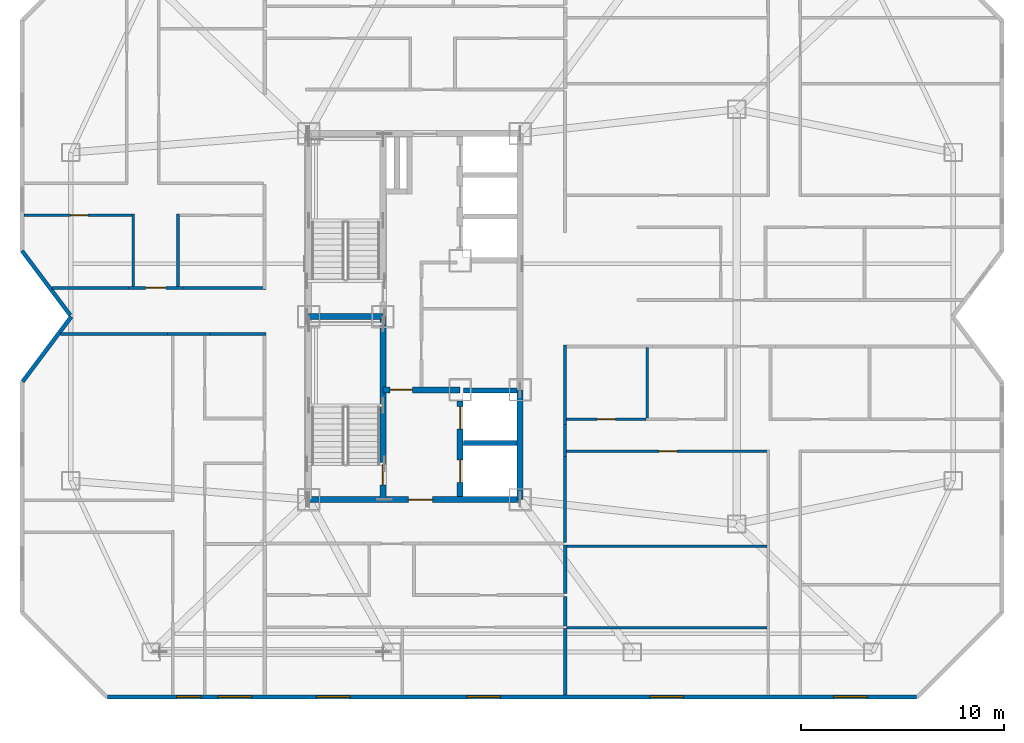
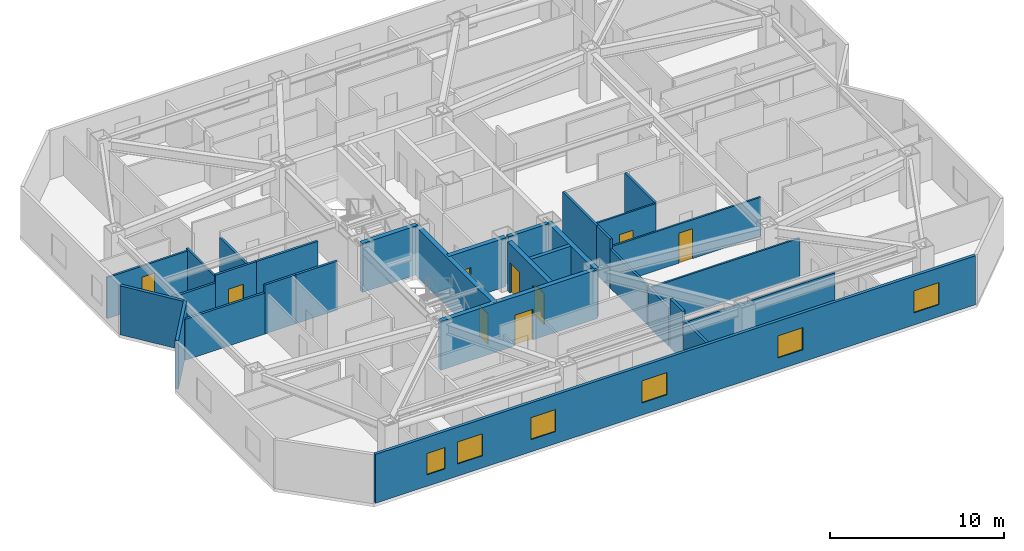
# One storey, part 6 of 11: 31 walls, 9 doors, 6 windows, 15 openings.
"""IFC4 building model written with IfcOpenShell, lengths in metres."""

from ifc_helpers import new_model, si_unit, direction, frame, frame_2d, origin, place, context, subcontext, project, spatial, rectangle, extrude, material, layer, layer_set, type_object, element, fill, save


model = new_model("IFC4")

# Units and contexts
model_context = context("Model", 3, precision=1e-05, world=origin(), true_north=direction((0.0, 1.0)))
body_context = subcontext(model_context, "Body", "Model", "MODEL_VIEW")
ifc_project = project(units=[si_unit("LENGTHUNIT", "METRE"), si_unit("AREAUNIT", "SQUARE_METRE"), si_unit("VOLUMEUNIT", "CUBIC_METRE"), si_unit("PLANEANGLEUNIT", "RADIAN"), si_unit("MASSUNIT", "GRAM", prefix="KILO")], contexts=[model_context])

# Site, building, storey
site_placement = place(None, origin())
site = spatial("IfcSite", under=ifc_project, at=site_placement, CompositionType="ELEMENT")
building_placement = place(site_placement, origin())
building = spatial("IfcBuilding", under=site, at=building_placement, Name="Khamvora Tower", CompositionType="ELEMENT")
storey_placement = place(building_placement, frame((0.0, 0.0, 163.199951171875)))
storey = spatial("IfcBuildingStorey", under=building, at=storey_placement, Name="L41", CompositionType="ELEMENT", Elevation=163.199951171875)

# Wall, opening, door
ifc_material_1 = material(Name="Concrete C50/60", Category="concrete")
ifc_layer_1 = layer(ifc_material_1, 0.300048828125)
ifc_layer_set_1 = layer_set([ifc_layer_1], Name="Concrete C50/60")
wall_type_1 = type_object("IfcWallType", Name="WAL-CORE-300", PredefinedType="SHEAR", material=ifc_layer_set_1)
wall_1_placement = place(storey_placement, frame((29.0, 19.0, 0.0), z_axis=(0.0, 0.0, 1.0), x_axis=(1.0, 0.0, 0.0)))
wall_1 = element("IfcWall", 1, at=wall_1_placement, inside=storey, type_object=wall_type_1, Name="L41 central core south wall", PredefinedType="SHEAR", context=body_context, shape_type="SweptSolid", body=[
    extrude(rectangle(XDim=10.39990234375, YDim=0.300048828125, at=frame_2d((5.199951171875, 0.0))), origin(), (0.0, 0.0, 1.0), 3.429931640625),
])
opening_1_placement = place(wall_1_placement, frame((4.89990234375, 0.0, 0.0)))
opening_1 = element("IfcOpeningElement", 2, at=opening_1_placement, cuts=wall_1, Name="Opening D-CR1", PredefinedType="OPENING", context=body_context, shape_type="SweptSolid", body=[
    extrude(rectangle(XDim=1.199951171875, YDim=2.14990234375, at=frame_2d((0.60009765625, 1.074951171875))), frame((0.0, 0.159912109375, 0.0), z_axis=(0.0, -1.0, 0.0), x_axis=(1.0, 0.0, 0.0)), (0.0, 0.0, 1.0), 0.320068359375),
])
ifc_material_2 = material(Name="Powder-Coated Steel and Hardwood Leaf", Category="steel")
door_type_1 = type_object("IfcDoorType", Name="DOR-CORR-1200", OperationType="NOTDEFINED", PredefinedType="DOOR", material=ifc_material_2)
door_1_placement = place(opening_1_placement, origin())
door_1 = element("IfcDoor", 3, at=door_1_placement, inside=storey, type_object=door_type_1, Name="L41 south core lobby to corridor fire door", OperationType="SINGLE_SWING_LEFT", OverallHeight=2.14990234375, OverallWidth=1.199951171875, PredefinedType="DOOR", context=body_context, shape_type="SweptSolid", body=[
    extrude(rectangle(XDim=1.199951171875, YDim=2.14990234375, at=frame_2d((0.60009765625, 1.074951171875))), frame((0.0, 0.02490234375, 0.0), z_axis=(0.0, -1.0, 0.0), x_axis=(1.0, 0.0, 0.0)), (0.0, 0.0, 1.0), 0.050048828125),
])
fill(opening_1, door_1)

# Wall
wall_2_placement = place(storey_placement, frame((39.39990234375, 19.0, 0.0), z_axis=(0.0, 0.0, 1.0), x_axis=(0.0, 1.0, 0.0)))
element("IfcWall", 4, at=wall_2_placement, inside=storey, type_object=wall_type_1, Name="L41 central core east south wall", PredefinedType="SHEAR", context=body_context, shape_type="SweptSolid", body=[
    extrude(rectangle(XDim=5.39990234375, YDim=0.300048828125, at=frame_2d((2.699951171875, 0.0))), origin(), (0.0, 0.0, 1.0), 3.429931640625),
])

# Wall, opening, door
wall_3_placement = place(storey_placement, frame((32.64990234375, 19.0, 0.0), z_axis=(0.0, 0.0, 1.0), x_axis=(0.0, 1.0, 0.0)))
wall_3 = element("IfcWall", 5, at=wall_3_placement, inside=storey, type_object=wall_type_1, Name="L41 central core stair south spine wall", PredefinedType="SHEAR", context=body_context, shape_type="SweptSolid", body=[
    extrude(rectangle(XDim=9.0, YDim=0.300048828125, at=frame_2d((4.5, 0.0))), origin(), (0.0, 0.0, 1.0), 3.429931640625),
])
opening_2_placement = place(wall_3_placement, frame((0.719970703125, 0.0, 0.0)))
opening_2 = element("IfcOpeningElement", 6, at=opening_2_placement, cuts=wall_3, Name="Opening D-ST1", PredefinedType="OPENING", context=body_context, shape_type="SweptSolid", body=[
    extrude(rectangle(XDim=1.0, YDim=2.14990234375, at=frame_2d((0.5, 1.074951171875))), frame((0.0, 0.159912109375, 0.0), z_axis=(0.0, -1.0, 0.0), x_axis=(1.0, 0.0, 0.0)), (0.0, 0.0, 1.0), 0.320068359375),
])
door_type_2 = type_object("IfcDoorType", Name="DOR-STAIR-1000", OperationType="NOTDEFINED", PredefinedType="DOOR", material=ifc_material_2)
door_2_placement = place(opening_2_placement, origin())
door_2 = element("IfcDoor", 7, at=door_2_placement, inside=storey, type_object=door_type_2, Name="L41 exit stair ST-01 fire door", OperationType="SINGLE_SWING_RIGHT", OverallHeight=2.14990234375, OverallWidth=1.0, PredefinedType="DOOR", context=body_context, shape_type="SweptSolid", body=[
    extrude(rectangle(XDim=1.0, YDim=2.14990234375, at=frame_2d((0.5, 1.074951171875))), frame((0.0, 0.02490234375, 0.0), z_axis=(0.0, -1.0, 0.0), x_axis=(1.0, 0.0, 0.0)), (0.0, 0.0, 1.0), 0.050048828125),
])
fill(opening_2, door_2)

# Wall
wall_4_placement = place(storey_placement, frame((29.0, 28.0, 0.0), z_axis=(0.0, 0.0, 1.0), x_axis=(1.0, 0.0, 0.0)))
element("IfcWall", 8, at=wall_4_placement, inside=storey, type_object=wall_type_1, Name="L41 central core stair cross wall", PredefinedType="SHEAR", context=body_context, shape_type="SweptSolid", body=[
    extrude(rectangle(XDim=3.64990234375, YDim=0.300048828125, at=frame_2d((1.824951171875, 0.0))), origin(), (0.0, 0.0, 1.0), 3.429931640625),
])

# Wall, opening, door
wall_5_placement = place(storey_placement, frame((32.64990234375, 24.39990234375, 0.0), z_axis=(0.0, 0.0, 1.0), x_axis=(1.0, 0.0, 0.0)))
wall_5 = element("IfcWall", 9, at=wall_5_placement, inside=storey, type_object=wall_type_1, Name="L41 central core firefighting lobby north wall", PredefinedType="SHEAR", context=body_context, shape_type="SweptSolid", body=[
    extrude(rectangle(XDim=3.800048828125, YDim=0.300048828125, at=frame_2d((1.89990234375, 0.0))), origin(), (0.0, 0.0, 1.0), 3.429931640625),
])
opening_3_placement = place(wall_5_placement, frame((0.35009765625, 0.0, 0.0)))
opening_3 = element("IfcOpeningElement", 10, at=opening_3_placement, cuts=wall_5, Name="Opening D-FF1", PredefinedType="OPENING", context=body_context, shape_type="SweptSolid", body=[
    extrude(rectangle(XDim=1.10009765625, YDim=2.14990234375, at=frame_2d((0.550048828125, 1.074951171875))), frame((0.0, 0.159912109375, 0.0), z_axis=(0.0, -1.0, 0.0), x_axis=(1.0, 0.0, 0.0)), (0.0, 0.0, 1.0), 0.320068359375),
])
door_type_3 = type_object("IfcDoorType", Name="DOR-FFLOB-1100", OperationType="NOTDEFINED", PredefinedType="DOOR", material=ifc_material_2)
door_3_placement = place(opening_3_placement, origin())
door_3 = element("IfcDoor", 11, at=door_3_placement, inside=storey, type_object=door_type_3, Name="L41 firefighting lobby smoke-seal fire door", OperationType="SINGLE_SWING_RIGHT", OverallHeight=2.14990234375, OverallWidth=1.10009765625, PredefinedType="DOOR", context=body_context, shape_type="SweptSolid", body=[
    extrude(rectangle(XDim=1.10009765625, YDim=2.14990234375, at=frame_2d((0.550048828125, 1.074951171875))), frame((0.0, 0.02490234375, 0.0), z_axis=(0.0, -1.0, 0.0), x_axis=(1.0, 0.0, 0.0)), (0.0, 0.0, 1.0), 0.050048828125),
])
fill(opening_3, door_3)

# Wall, openings, doors
wall_6_placement = place(storey_placement, frame((36.449951171875, 19.154052734375, 0.0), z_axis=(0.0, 0.0, 1.0), x_axis=(0.0, 1.0, 0.0)))
wall_6 = element("IfcWall", 12, at=wall_6_placement, inside=storey, type_object=wall_type_1, Name="L41 central core lift bank south wall", PredefinedType="SHEAR", context=body_context, shape_type="SweptSolid", body=[
    extrude(rectangle(XDim=4.696044921875, YDim=0.300048828125, at=frame_2d((2.34814453125, 0.0))), origin(), (0.0, 0.0, 1.0), 3.429931640625),
])
opening_4_placement = place(wall_6_placement, frame((0.696044921875, 0.0, 0.0)))
opening_4 = element("IfcOpeningElement", 13, at=opening_4_placement, cuts=wall_6, Name="Opening LD-FFL", PredefinedType="OPENING", context=body_context, shape_type="SweptSolid", body=[
    extrude(rectangle(XDim=1.10009765625, YDim=2.14990234375, at=frame_2d((0.550048828125, 1.074951171875))), frame((0.0, 0.159912109375, 0.0), z_axis=(0.0, -1.0, 0.0), x_axis=(1.0, 0.0, 0.0)), (0.0, 0.0, 1.0), 0.320068359375),
])
opening_5_placement = place(wall_6_placement, frame((3.31591796875, 0.0, 0.0)))
opening_5 = element("IfcOpeningElement", 14, at=opening_5_placement, cuts=wall_6, Name="Opening LD-FFL", PredefinedType="OPENING", context=body_context, shape_type="SweptSolid", body=[
    extrude(rectangle(XDim=1.10009765625, YDim=2.14990234375, at=frame_2d((0.550048828125, 1.074951171875))), frame((0.0, 0.159912109375, 0.0), z_axis=(0.0, -1.0, 0.0), x_axis=(1.0, 0.0, 0.0)), (0.0, 0.0, 1.0), 0.320068359375),
])
door_type_4 = type_object("IfcDoorType", Name="DOR-LIFT-1100", OperationType="SLIDING_TO_LEFT", PredefinedType="DOOR", material=ifc_material_2)
door_4_placement = place(opening_4_placement, origin())
door_4 = element("IfcDoor", 15, at=door_4_placement, inside=storey, type_object=door_type_4, Name="L41 lift landing sliding door FFL-01", OperationType="SLIDING_TO_LEFT", OverallHeight=2.14990234375, OverallWidth=1.10009765625, PredefinedType="DOOR", context=body_context, shape_type="SweptSolid", body=[
    extrude(rectangle(XDim=1.10009765625, YDim=2.14990234375, at=frame_2d((0.550048828125, 1.074951171875))), frame((0.0, 0.02490234375, 0.0), z_axis=(0.0, -1.0, 0.0), x_axis=(1.0, 0.0, 0.0)), (0.0, 0.0, 1.0), 0.050048828125),
])
fill(opening_4, door_4)
door_5_placement = place(opening_5_placement, origin())
door_5 = element("IfcDoor", 16, at=door_5_placement, inside=storey, type_object=door_type_4, Name="L41 lift landing sliding door FFL-02", OperationType="SLIDING_TO_LEFT", OverallHeight=2.14990234375, OverallWidth=1.10009765625, PredefinedType="DOOR", context=body_context, shape_type="SweptSolid", body=[
    extrude(rectangle(XDim=1.10009765625, YDim=2.14990234375, at=frame_2d((0.550048828125, 1.074951171875))), frame((0.0, 0.02490234375, 0.0), z_axis=(0.0, -1.0, 0.0), x_axis=(1.0, 0.0, 0.0)), (0.0, 0.0, 1.0), 0.050048828125),
])
fill(opening_5, door_5)

# Walls
ifc_material_3 = material(Name="Fire-Rated Drywall and Steel Stud", Category="steel")
ifc_layer_2 = layer(ifc_material_3, 0.14990234375)
ifc_layer_set_2 = layer_set([ifc_layer_2], Name="Fire-Rated Drywall and Steel Stud")
wall_type_2 = type_object("IfcWallType", Name="WAL-CORR-150", PredefinedType="STANDARD", material=ifc_layer_set_2)
wall_7_placement = place(storey_placement, frame((24.138916015625, 27.135009765625, 0.0), z_axis=(0.0, 0.0, 1.0), x_axis=(-1.0, 0.0, 0.0)))
element("IfcWall", 17, at=wall_7_placement, inside=storey, type_object=wall_type_2, Name="L41 interior partition wall 006", PredefinedType="STANDARD", context=body_context, shape_type="SweptSolid", body=[
    extrude(rectangle(XDim=2.077880859375, YDim=0.14990234375, at=frame_2d((1.0390625, 0.0))), origin(), (0.0, 0.0, 1.0), 3.429931640625),
])
wall_8_placement = place(storey_placement, frame((26.89794921875, 27.135009765625, 0.0), z_axis=(0.0, 0.0, 1.0), x_axis=(-1.0, 0.0, 0.0)))
element("IfcWall", 18, at=wall_8_placement, inside=storey, type_object=wall_type_2, Name="L41 interior partition wall 009", PredefinedType="STANDARD", context=body_context, shape_type="SweptSolid", body=[
    extrude(rectangle(XDim=2.759033203125, YDim=0.14990234375, at=frame_2d((1.37939453125, 0.0))), origin(), (0.0, 0.0, 1.0), 3.429931640625),
])
wall_9_placement = place(storey_placement, frame((22.06103515625, 27.135009765625, 0.0), z_axis=(0.0, 0.0, 1.0), x_axis=(-1.0, 0.0, 0.0)))
element("IfcWall", 19, at=wall_9_placement, inside=storey, type_object=wall_type_2, Name="L41 interior partition wall 010", PredefinedType="STANDARD", context=body_context, shape_type="SweptSolid", body=[
    extrude(rectangle(XDim=5.281005859375, YDim=0.14990234375, at=frame_2d((2.640625, 0.0))), origin(), (0.0, 0.0, 1.0), 2.8759765625),
])

# Wall, opening, door
wall_10_placement = place(storey_placement, frame((20.1259765625, 29.4150390625, 0.0), z_axis=(0.0, 0.0, 1.0), x_axis=(1.0, 0.0, 0.0)))
wall_10 = element("IfcWall", 20, at=wall_10_placement, inside=storey, type_object=wall_type_2, Name="L41 interior partition wall 011", PredefinedType="STANDARD", context=body_context, shape_type="SweptSolid", body=[
    extrude(rectangle(XDim=2.698974609375, YDim=0.14990234375, at=frame_2d((1.349609375, 0.0))), origin(), (0.0, 0.0, 1.0), 3.429931640625),
])
opening_6_placement = place(wall_10_placement, frame((0.85009765625, 0.0, 0.0)))
opening_6 = element("IfcOpeningElement", 21, at=opening_6_placement, cuts=wall_10, Name="Opening D-U1", PredefinedType="OPENING", context=body_context, shape_type="SweptSolid", body=[
    extrude(rectangle(XDim=1.0, YDim=2.14990234375, at=frame_2d((0.5, 1.074951171875))), frame((0.0, 0.0849609375, 0.0), z_axis=(0.0, -1.0, 0.0), x_axis=(1.0, 0.0, 0.0)), (0.0, 0.0, 1.0), 0.169921875),
])
door_type_5 = type_object("IfcDoorType", Name="DOR-UNIT-1000", OperationType="NOTDEFINED", PredefinedType="DOOR", material=ifc_material_2)
door_6_placement = place(opening_6_placement, origin())
door_6 = element("IfcDoor", 22, at=door_6_placement, inside=storey, type_object=door_type_5, Name="L41 interior door COR-41WBH", OperationType="SINGLE_SWING_RIGHT", OverallHeight=2.14990234375, OverallWidth=1.0, PredefinedType="DOOR", context=body_context, shape_type="SweptSolid", body=[
    extrude(rectangle(XDim=1.0, YDim=2.14990234375, at=frame_2d((0.5, 1.074951171875))), frame((0.0, 0.02490234375, 0.0), z_axis=(0.0, -1.0, 0.0), x_axis=(1.0, 0.0, 0.0)), (0.0, 0.0, 1.0), 0.050048828125),
])
fill(opening_6, door_6)

# Walls
wall_11_placement = place(storey_placement, frame((22.824951171875, 29.4150390625, 0.0), z_axis=(0.0, 0.0, 1.0), x_axis=(1.0, 0.0, 0.0)))
element("IfcWall", 23, at=wall_11_placement, inside=storey, type_object=wall_type_2, Name="L41 interior partition wall 013", PredefinedType="STANDARD", context=body_context, shape_type="SweptSolid", body=[
    extrude(rectangle(XDim=4.074951171875, YDim=0.14990234375, at=frame_2d((2.03759765625, 0.0))), origin(), (0.0, 0.0, 1.0), 3.429931640625),
])
wall_12_placement = place(storey_placement, frame((16.367919921875, 29.4150390625, 0.0), z_axis=(0.0, 0.0, 1.0), x_axis=(1.0, 0.0, 0.0)))
element("IfcWall", 24, at=wall_12_placement, inside=storey, type_object=wall_type_2, Name="L41 interior partition wall 015", PredefinedType="STANDARD", context=body_context, shape_type="SweptSolid", body=[
    extrude(rectangle(XDim=3.758056640625, YDim=0.14990234375, at=frame_2d((1.87890625, 0.0))), origin(), (0.0, 0.0, 1.0), 2.8759765625),
])
wall_13_placement = place(storey_placement, frame((41.614990234375, 26.60009765625, 0.0), z_axis=(0.0, 0.0, 1.0), x_axis=(0.0, -1.0, 0.0)))
element("IfcWall", 25, at=wall_13_placement, inside=storey, type_object=wall_type_2, Name="L41 interior partition wall 023", PredefinedType="STANDARD", context=body_context, shape_type="SweptSolid", body=[
    extrude(rectangle(XDim=3.89404296875, YDim=0.14990234375, at=frame_2d((1.947021484375, 0.0))), origin(), (0.0, 0.0, 1.0), 3.429931640625),
])
wall_14_placement = place(storey_placement, frame((41.614990234375, 22.7060546875, 0.0), z_axis=(0.0, 0.0, 1.0), x_axis=(0.0, -1.0, 0.0)))
element("IfcWall", 26, at=wall_14_placement, inside=storey, type_object=wall_type_2, Name="L41 interior partition wall 026", PredefinedType="STANDARD", context=body_context, shape_type="SweptSolid", body=[
    extrude(rectangle(XDim=1.580078125, YDim=0.14990234375, at=frame_2d((0.7900390625, 0.0))), origin(), (0.0, 0.0, 1.0), 3.429931640625),
])
wall_15_placement = place(storey_placement, frame((41.614990234375, 21.1259765625, 0.0), z_axis=(0.0, 0.0, 1.0), x_axis=(0.0, -1.0, 0.0)))
element("IfcWall", 27, at=wall_15_placement, inside=storey, type_object=wall_type_2, Name="L41 interior partition wall 029", PredefinedType="STANDARD", context=body_context, shape_type="SweptSolid", body=[
    extrude(rectangle(XDim=4.22607421875, YDim=0.14990234375, at=frame_2d((2.113037109375, 0.0))), origin(), (0.0, 0.0, 1.0), 2.72509765625),
])
ifc_material_4 = material(Name="Acoustic Double-Stud Fire Wall", Category="gypsum")
ifc_layer_3 = layer(ifc_material_4, 0.179931640625)
ifc_layer_set_3 = layer_set([ifc_layer_3], Name="Acoustic Double-Stud Fire Wall")
wall_type_3 = type_object("IfcWallType", Name="WAL-CORR-180", PredefinedType="STANDARD", material=ifc_layer_set_3)
wall_16_placement = place(storey_placement, frame((41.614990234375, 14.239990234375, 0.0), z_axis=(0.0, 0.0, 1.0), x_axis=(0.0, -1.0, 0.0)))
element("IfcWall", 28, at=wall_16_placement, inside=storey, type_object=wall_type_3, Name="L41 interior partition wall 069", PredefinedType="STANDARD", context=body_context, shape_type="SweptSolid", body=[
    extrude(rectangle(XDim=1.449951171875, YDim=0.179931640625, at=frame_2d((0.72509765625, 0.0))), origin(), (0.0, 0.0, 1.0), 3.429931640625),
])
wall_17_placement = place(storey_placement, frame((41.614990234375, 16.77001953125, 0.0), z_axis=(0.0, 0.0, 1.0), x_axis=(0.0, -1.0, 0.0)))
element("IfcWall", 29, at=wall_17_placement, inside=storey, type_object=wall_type_3, Name="L41 interior partition wall 070", PredefinedType="STANDARD", context=body_context, shape_type="SweptSolid", body=[
    extrude(rectangle(XDim=2.39990234375, YDim=0.179931640625, at=frame_2d((1.199951171875, 0.0))), origin(), (0.0, 0.0, 1.0), 2.72509765625),
])
wall_18_placement = place(storey_placement, frame((41.614990234375, 12.659912109375, 0.0), z_axis=(0.0, 0.0, 1.0), x_axis=(0.0, -1.0, 0.0)))
element("IfcWall", 30, at=wall_18_placement, inside=storey, type_object=wall_type_3, Name="L41 interior partition wall 072", PredefinedType="STANDARD", context=body_context, shape_type="SweptSolid", body=[
    extrude(rectangle(XDim=3.267822265625, YDim=0.179931640625, at=frame_2d((1.6337890625, 0.0))), origin(), (0.0, 0.0, 1.0), 2.8759765625),
])
ifc_material_5 = material(Name="Precast concrete C40/50", Category="concrete")
ifc_layer_4 = layer(ifc_material_5, 0.199951171875)
ifc_layer_set_4 = layer_set([ifc_layer_4], Name="Precast concrete C40/50")
wall_type_4 = type_object("IfcWallType", Name="WAL-EXT-200", PredefinedType="STANDARD", material=ifc_layer_set_4)
wall_19_placement = place(storey_placement, frame((14.929931640625, 24.806884765625, 0.0), z_axis=(0.0, 0.0, 1.0), x_axis=(0.600029358831, 0.799977980035, 0.0)))
element("IfcWall", 31, at=wall_19_placement, inside=storey, type_object=wall_type_4, Name="L41 exterior facade wall 03.1", PredefinedType="STANDARD", context=body_context, shape_type="SweptSolid", body=[
    extrude(rectangle(XDim=3.991455078125, YDim=0.199951171875, at=frame_2d((1.99560546875, 0.0))), origin(), (0.0, 0.0, 1.0), 3.429931640625),
])
wall_20_placement = place(storey_placement, frame((17.27294921875, 28.069091796875, 0.0), z_axis=(0.0, 0.0, 1.0), x_axis=(-0.600029630681, 0.799977776132, 0.0)))
element("IfcWall", 32, at=wall_20_placement, inside=storey, type_object=wall_type_4, Name="L41 exterior facade wall 04.1", PredefinedType="STANDARD", context=body_context, shape_type="SweptSolid", body=[
    extrude(rectangle(XDim=3.954833984375, YDim=0.199951171875, at=frame_2d((1.9775390625, 0.0))), origin(), (0.0, 0.0, 1.0), 3.429931640625),
])

# Wall, openings, windows
wall_21_placement = place(storey_placement, frame((58.89599609375, 9.300048828125, 0.0), z_axis=(0.0, 0.0, 1.0), x_axis=(-1.0, 0.0, 0.0)))
wall_21 = element("IfcWall", 33, at=wall_21_placement, inside=storey, type_object=wall_type_4, Name="L41 exterior facade wall 14.1", PredefinedType="STANDARD", context=body_context, shape_type="SweptSolid", body=[
    extrude(rectangle(XDim=39.79296875, YDim=0.199951171875, at=frame_2d((19.896484375, 0.0))), origin(), (0.0, 0.0, 1.0), 3.429931640625),
])
opening_7_placement = place(wall_21_placement, frame((32.7080078125, 0.0, 0.85009765625)))
opening_7 = element("IfcOpeningElement", 34, at=opening_7_placement, cuts=wall_21, Name="Opening WN-06", PredefinedType="OPENING", context=body_context, shape_type="SweptSolid", body=[
    extrude(rectangle(XDim=1.64990234375, YDim=1.550048828125, at=frame_2d((0.824951171875, 0.77490234375))), frame((0.0, 0.10986328125, 0.0), z_axis=(0.0, -1.0, 0.0), x_axis=(1.0, 0.0, 0.0)), (0.0, 0.0, 1.0), 0.219970703125),
])
opening_8_placement = place(wall_21_placement, frame((35.196044921875, 0.0, 0.800048828125)))
opening_8 = element("IfcOpeningElement", 35, at=opening_8_placement, cuts=wall_21, Name="Opening WN-03", PredefinedType="OPENING", context=body_context, shape_type="SweptSolid", body=[
    extrude(rectangle(XDim=1.199951171875, YDim=1.5, at=frame_2d((0.60009765625, 0.75))), frame((0.0, 0.10986328125, 0.0), z_axis=(0.0, -1.0, 0.0), x_axis=(1.0, 0.0, 0.0)), (0.0, 0.0, 1.0), 0.219970703125),
])
opening_9_placement = place(wall_21_placement, frame((27.85400390625, 0.0, 0.85009765625)))
opening_9 = element("IfcOpeningElement", 36, at=opening_9_placement, cuts=wall_21, Name="Opening WN-06", PredefinedType="OPENING", context=body_context, shape_type="SweptSolid", body=[
    extrude(rectangle(XDim=1.64990234375, YDim=1.550048828125, at=frame_2d((0.824951171875, 0.77490234375))), frame((0.0, 0.10986328125, 0.0), z_axis=(0.0, -1.0, 0.0), x_axis=(1.0, 0.0, 0.0)), (0.0, 0.0, 1.0), 0.219970703125),
])
opening_10_placement = place(wall_21_placement, frame((20.464111328125, 0.0, 0.85009765625)))
opening_10 = element("IfcOpeningElement", 37, at=opening_10_placement, cuts=wall_21, Name="Opening WN-06", PredefinedType="OPENING", context=body_context, shape_type="SweptSolid", body=[
    extrude(rectangle(XDim=1.64990234375, YDim=1.550048828125, at=frame_2d((0.824951171875, 0.77490234375))), frame((0.0, 0.10986328125, 0.0), z_axis=(0.0, -1.0, 0.0), x_axis=(1.0, 0.0, 0.0)), (0.0, 0.0, 1.0), 0.219970703125),
])
opening_11_placement = place(wall_21_placement, frame((11.462890625, 0.0, 0.85009765625)))
opening_11 = element("IfcOpeningElement", 38, at=opening_11_placement, cuts=wall_21, Name="Opening WN-06", PredefinedType="OPENING", context=body_context, shape_type="SweptSolid", body=[
    extrude(rectangle(XDim=1.64990234375, YDim=1.550048828125, at=frame_2d((0.824951171875, 0.77490234375))), frame((0.0, 0.10986328125, 0.0), z_axis=(0.0, -1.0, 0.0), x_axis=(1.0, 0.0, 0.0)), (0.0, 0.0, 1.0), 0.219970703125),
])
opening_12_placement = place(wall_21_placement, frame((2.429931640625, 0.0, 0.85009765625)))
opening_12 = element("IfcOpeningElement", 39, at=opening_12_placement, cuts=wall_21, Name="Opening WN-06", PredefinedType="OPENING", context=body_context, shape_type="SweptSolid", body=[
    extrude(rectangle(XDim=1.64990234375, YDim=1.550048828125, at=frame_2d((0.824951171875, 0.77490234375))), frame((0.0, 0.10986328125, 0.0), z_axis=(0.0, -1.0, 0.0), x_axis=(1.0, 0.0, 0.0)), (0.0, 0.0, 1.0), 0.219970703125),
])
ifc_material_6 = material(Name="Low-E Laminated Double Glazing", Category="glass")
window_type_1 = type_object("IfcWindowType", Name="WIN-VIS-1200x1500", PartitioningType="SINGLE_PANEL", PredefinedType="WINDOW", material=ifc_material_6)
window_1_placement = place(opening_8_placement, origin())
window_1 = element("IfcWindow", 40, at=window_1_placement, inside=storey, type_object=window_type_1, Name="L41 vision window 14.1.02", OverallHeight=1.5, OverallWidth=1.199951171875, PartitioningType="SINGLE_PANEL", PredefinedType="WINDOW", context=body_context, shape_type="SweptSolid", body=[
    extrude(rectangle(XDim=1.199951171875, YDim=1.5, at=frame_2d((0.60009765625, 0.75))), frame((0.0, 0.030029296875, 0.0), z_axis=(0.0, -1.0, 0.0), x_axis=(1.0, 0.0, 0.0)), (0.0, 0.0, 1.0), 0.06005859375),
])
fill(opening_8, window_1)
window_type_2 = type_object("IfcWindowType", Name="WIN-VIS-1650x1550", PartitioningType="SINGLE_PANEL", PredefinedType="WINDOW", material=ifc_material_6)
window_2_placement = place(opening_7_placement, origin())
window_2 = element("IfcWindow", 41, at=window_2_placement, inside=storey, type_object=window_type_2, Name="L41 vision window 14.1.01", OverallHeight=1.550048828125, OverallWidth=1.64990234375, PartitioningType="SINGLE_PANEL", PredefinedType="WINDOW", context=body_context, shape_type="SweptSolid", body=[
    extrude(rectangle(XDim=1.64990234375, YDim=1.550048828125, at=frame_2d((0.824951171875, 0.77490234375))), frame((0.0, 0.030029296875, 0.0), z_axis=(0.0, -1.0, 0.0), x_axis=(1.0, 0.0, 0.0)), (0.0, 0.0, 1.0), 0.06005859375),
])
fill(opening_7, window_2)
window_3_placement = place(opening_9_placement, origin())
window_3 = element("IfcWindow", 42, at=window_3_placement, inside=storey, type_object=window_type_2, Name="L41 vision window 14.1.03", OverallHeight=1.550048828125, OverallWidth=1.64990234375, PartitioningType="SINGLE_PANEL", PredefinedType="WINDOW", context=body_context, shape_type="SweptSolid", body=[
    extrude(rectangle(XDim=1.64990234375, YDim=1.550048828125, at=frame_2d((0.824951171875, 0.77490234375))), frame((0.0, 0.030029296875, 0.0), z_axis=(0.0, -1.0, 0.0), x_axis=(1.0, 0.0, 0.0)), (0.0, 0.0, 1.0), 0.06005859375),
])
fill(opening_9, window_3)
window_4_placement = place(opening_10_placement, origin())
window_4 = element("IfcWindow", 43, at=window_4_placement, inside=storey, type_object=window_type_2, Name="L41 vision window 14.1.04", OverallHeight=1.550048828125, OverallWidth=1.64990234375, PartitioningType="SINGLE_PANEL", PredefinedType="WINDOW", context=body_context, shape_type="SweptSolid", body=[
    extrude(rectangle(XDim=1.64990234375, YDim=1.550048828125, at=frame_2d((0.824951171875, 0.77490234375))), frame((0.0, 0.030029296875, 0.0), z_axis=(0.0, -1.0, 0.0), x_axis=(1.0, 0.0, 0.0)), (0.0, 0.0, 1.0), 0.06005859375),
])
fill(opening_10, window_4)
window_5_placement = place(opening_11_placement, origin())
window_5 = element("IfcWindow", 44, at=window_5_placement, inside=storey, type_object=window_type_2, Name="L41 vision window 14.1.05", OverallHeight=1.550048828125, OverallWidth=1.64990234375, PartitioningType="SINGLE_PANEL", PredefinedType="WINDOW", context=body_context, shape_type="SweptSolid", body=[
    extrude(rectangle(XDim=1.64990234375, YDim=1.550048828125, at=frame_2d((0.824951171875, 0.77490234375))), frame((0.0, 0.030029296875, 0.0), z_axis=(0.0, -1.0, 0.0), x_axis=(1.0, 0.0, 0.0)), (0.0, 0.0, 1.0), 0.06005859375),
])
fill(opening_11, window_5)
window_6_placement = place(opening_12_placement, origin())
window_6 = element("IfcWindow", 45, at=window_6_placement, inside=storey, type_object=window_type_2, Name="L41 vision window 14.1.06", OverallHeight=1.550048828125, OverallWidth=1.64990234375, PartitioningType="SINGLE_PANEL", PredefinedType="WINDOW", context=body_context, shape_type="SweptSolid", body=[
    extrude(rectangle(XDim=1.64990234375, YDim=1.550048828125, at=frame_2d((0.824951171875, 0.77490234375))), frame((0.0, 0.030029296875, 0.0), z_axis=(0.0, -1.0, 0.0), x_axis=(1.0, 0.0, 0.0)), (0.0, 0.0, 1.0), 0.06005859375),
])
fill(opening_12, window_6)

# Wall, opening, door
ifc_material_7 = material(Name="Gypsum Plasterboard Partition", Category="gypsum")
ifc_layer_5 = layer(ifc_material_7, 0.1201171875)
ifc_layer_set_5 = layer_set([ifc_layer_5], Name="Gypsum Plasterboard Partition")
wall_type_5 = type_object("IfcWallType", Name="WAL-PART-120", PredefinedType="PARTITIONING", material=ifc_layer_set_5)
wall_22_placement = place(storey_placement, frame((45.587890625, 22.955078125, 0.0), z_axis=(0.0, 0.0, 1.0), x_axis=(-1.0, 0.0, 0.0)))
wall_22 = element("IfcWall", 46, at=wall_22_placement, inside=storey, type_object=wall_type_5, Name="L41 interior partition wall 085", PredefinedType="PARTITIONING", context=body_context, shape_type="SweptSolid", body=[
    extrude(rectangle(XDim=3.906005859375, YDim=0.1201171875, at=frame_2d((1.953125, 0.0))), origin(), (0.0, 0.0, 1.0), 3.429931640625),
])
opening_13_placement = place(wall_22_placement, frame((1.5029296875, 0.0, 0.0)))
opening_13 = element("IfcOpeningElement", 47, at=opening_13_placement, cuts=wall_22, Name="Opening D-RM1", PredefinedType="OPENING", context=body_context, shape_type="SweptSolid", body=[
    extrude(rectangle(XDim=0.89990234375, YDim=2.10009765625, at=frame_2d((0.449951171875, 1.050048828125))), frame((0.0, 0.070068359375, 0.0), z_axis=(0.0, -1.0, 0.0), x_axis=(1.0, 0.0, 0.0)), (0.0, 0.0, 1.0), 0.14013671875),
])
door_type_6 = type_object("IfcDoorType", Name="DOR-ROOM-900", OperationType="NOTDEFINED", PredefinedType="DOOR", material=ifc_material_2)
door_7_placement = place(opening_13_placement, origin())
door_7 = element("IfcDoor", 48, at=door_7_placement, inside=storey, type_object=door_type_6, Name="L41 interior door 41EAW1-41EAH", OperationType="SINGLE_SWING_RIGHT", OverallHeight=2.10009765625, OverallWidth=0.89990234375, PredefinedType="DOOR", context=body_context, shape_type="SweptSolid", body=[
    extrude(rectangle(XDim=0.89990234375, YDim=2.10009765625, at=frame_2d((0.449951171875, 1.050048828125))), frame((0.0, 0.02490234375, 0.0), z_axis=(0.0, -1.0, 0.0), x_axis=(1.0, 0.0, 0.0)), (0.0, 0.0, 1.0), 0.050048828125),
])
fill(opening_13, door_7)

wall_23_placement = place(storey_placement, frame((51.653076171875, 21.375, 0.0), z_axis=(0.0, 0.0, 1.0), x_axis=(-1.0, 0.0, 0.0)))
wall_23 = element("IfcWall", 49, at=wall_23_placement, inside=storey, type_object=wall_type_5, Name="L41 interior partition wall 096", PredefinedType="PARTITIONING", context=body_context, shape_type="SweptSolid", body=[
    extrude(rectangle(XDim=9.97119140625, YDim=0.1201171875, at=frame_2d((4.985595703125, 0.0))), origin(), (0.0, 0.0, 1.0), 2.72509765625),
])
opening_14_placement = place(wall_23_placement, frame((4.534912109375, 0.0, 0.0)))
opening_14 = element("IfcOpeningElement", 50, at=opening_14_placement, cuts=wall_23, Name="Opening D-RM1", PredefinedType="OPENING", context=body_context, shape_type="SweptSolid", body=[
    extrude(rectangle(XDim=0.89990234375, YDim=2.10009765625, at=frame_2d((0.449951171875, 1.050048828125))), frame((0.0, 0.070068359375, 0.0), z_axis=(0.0, -1.0, 0.0), x_axis=(1.0, 0.0, 0.0)), (0.0, 0.0, 1.0), 0.14013671875),
])
door_8_placement = place(opening_14_placement, origin())
door_8 = element("IfcDoor", 51, at=door_8_placement, inside=storey, type_object=door_type_6, Name="L41 interior door 41EAH-41EAR3", OperationType="SINGLE_SWING_RIGHT", OverallHeight=2.10009765625, OverallWidth=0.89990234375, PredefinedType="DOOR", context=body_context, shape_type="SweptSolid", body=[
    extrude(rectangle(XDim=0.89990234375, YDim=2.10009765625, at=frame_2d((0.449951171875, 1.050048828125))), frame((0.0, 0.02490234375, 0.0), z_axis=(0.0, -1.0, 0.0), x_axis=(1.0, 0.0, 0.0)), (0.0, 0.0, 1.0), 0.050048828125),
])
fill(opening_14, door_8)

# Walls
wall_24_placement = place(storey_placement, frame((41.68603515625, 12.698974609375, 0.0), z_axis=(0.0, 0.0, 1.0), x_axis=(1.0, 0.0, 0.0)))
element("IfcWall", 52, at=wall_24_placement, inside=storey, type_object=wall_type_5, Name="L41 interior partition wall 100", PredefinedType="PARTITIONING", context=body_context, shape_type="SweptSolid", body=[
    extrude(rectangle(XDim=9.85986328125, YDim=0.1201171875, at=frame_2d((4.929931640625, 0.0))), origin(), (0.0, 0.0, 1.0), 2.72509765625),
])
wall_25_placement = place(storey_placement, frame((41.697021484375, 16.698974609375, 0.0), z_axis=(0.0, 0.0, 1.0), x_axis=(1.0, 0.0, 0.0)))
element("IfcWall", 53, at=wall_25_placement, inside=storey, type_object=wall_type_5, Name="L41 interior partition wall 101", PredefinedType="PARTITIONING", context=body_context, shape_type="SweptSolid", body=[
    extrude(rectangle(XDim=9.848876953125, YDim=0.1201171875, at=frame_2d((4.92431640625, 0.0))), origin(), (0.0, 0.0, 1.0), 2.72509765625),
])
ifc_material_8 = material(Name="Concrete C40/50", Category="concrete")
ifc_layer_6 = layer(ifc_material_8, 0.25)
ifc_layer_set_6 = layer_set([ifc_layer_6], Name="Concrete C40/50")
wall_type_6 = type_object("IfcWallType", Name="WAL-PODS-250", PredefinedType="SHEAR", material=ifc_layer_set_6)
for number, where, z_axis, x_axis, name in (
    (54, (36.60400390625, 21.77490234375, 0.0), (0.0, 0.0, 1.0), (1.0, 0.0, 0.0), "L41 lift shaft divider wall FFL-01"),
    (55, (36.60400390625, 24.375, 0.0), (0.0, 0.0, 1.0), (1.0, 0.0, 0.0), "L41 lift shaft divider wall FFL-02"),
):
    element("IfcWall", number, at=place(storey_placement, frame(where, z_axis=z_axis, x_axis=x_axis)), inside=storey, type_object=wall_type_6, Name=name, PredefinedType="SHEAR", context=body_context, shape_type="SweptSolid", body=[
        extrude(rectangle(XDim=2.64208984375, YDim=0.25, at=frame_2d((1.321044921875, 0.0))), origin(), (0.0, 0.0, 1.0), 3.429931640625),
    ])
ifc_material_9 = material(Name="Moisture-Resistant Plasterboard Partition", Category="gypsum")
ifc_layer_7 = layer(ifc_material_9, 0.135009765625)
ifc_layer_set_7 = layer_set([ifc_layer_7], Name="Moisture-Resistant Plasterboard Partition")
wall_type_7 = type_object("IfcWallType", Name="WAL-WET-135", PredefinedType="PARTITIONING", material=ifc_layer_set_7)
for number, where, z_axis, x_axis, name in (
    (56, (22.575927734375, 33.048095703125, 0.0), (0.0, 0.0, 1.0), (0.0, -1.0, 0.0), "L41 interior partition wall 050"),
    (57, (20.3759765625, 29.47998046875, 0.0), (0.0, 0.0, 1.0), (0.0, 1.0, 0.0), "L41 interior partition wall 051"),
):
    element("IfcWall", number, at=place(storey_placement, frame(where, z_axis=z_axis, x_axis=x_axis)), inside=storey, type_object=wall_type_7, Name=name, PredefinedType="PARTITIONING", context=body_context, shape_type="SweptSolid", body=[
        extrude(rectangle(XDim=3.568115234375, YDim=0.135009765625, at=frame_2d((1.7841796875, 0.0))), origin(), (0.0, 0.0, 1.0), 3.012939453125),
    ])

# Wall, opening, door
wall_26_placement = place(storey_placement, frame((20.44091796875, 32.98291015625, 0.0), z_axis=(0.0, 0.0, 1.0), x_axis=(-1.0, 0.0, 0.0)))
wall_26 = element("IfcWall", 58, at=wall_26_placement, inside=storey, type_object=wall_type_7, Name="L41 interior partition wall 052", PredefinedType="PARTITIONING", context=body_context, shape_type="SweptSolid", body=[
    extrude(rectangle(XDim=5.448974609375, YDim=0.135009765625, at=frame_2d((2.724609375, 0.0))), origin(), (0.0, 0.0, 1.0), 2.8759765625),
])
opening_15_placement = place(wall_26_placement, frame((2.300048828125, 0.0, 0.0)))
opening_15 = element("IfcOpeningElement", 59, at=opening_15_placement, cuts=wall_26, Name="Opening D-RM2", PredefinedType="OPENING", context=body_context, shape_type="SweptSolid", body=[
    extrude(rectangle(XDim=0.85009765625, YDim=2.10009765625, at=frame_2d((0.425048828125, 1.050048828125))), frame((0.0, 0.077392578125, 0.0), z_axis=(0.0, -1.0, 0.0), x_axis=(1.0, 0.0, 0.0)), (0.0, 0.0, 1.0), 0.155029296875),
])
door_type_7 = type_object("IfcDoorType", Name="DOR-ROOM-850", OperationType="NOTDEFINED", PredefinedType="DOOR", material=ifc_material_2)
door_9_placement = place(opening_15_placement, origin())
door_9 = element("IfcDoor", 60, at=door_9_placement, inside=storey, type_object=door_type_7, Name="L41 interior door 41WBH-41WBK", OperationType="SINGLE_SWING_LEFT", OverallHeight=2.10009765625, OverallWidth=0.85009765625, PredefinedType="DOOR", context=body_context, shape_type="SweptSolid", body=[
    extrude(rectangle(XDim=0.85009765625, YDim=2.10009765625, at=frame_2d((0.425048828125, 1.050048828125))), frame((0.0, 0.02490234375, 0.0), z_axis=(0.0, -1.0, 0.0), x_axis=(1.0, 0.0, 0.0)), (0.0, 0.0, 1.0), 0.050048828125),
])
fill(opening_15, door_9)

# Wall
wall_27_placement = place(storey_placement, frame((45.653076171875, 26.469970703125, 0.0), z_axis=(0.0, 0.0, 1.0), x_axis=(0.0, -1.0, 0.0)))
element("IfcWall", 61, at=wall_27_placement, inside=storey, type_object=wall_type_7, Name="L41 interior partition wall 086", PredefinedType="PARTITIONING", context=body_context, shape_type="SweptSolid", body=[
    extrude(rectangle(XDim=3.449951171875, YDim=0.135009765625, at=frame_2d((1.72509765625, 0.0))), origin(), (0.0, 0.0, 1.0), 3.429931640625),
])

save(model, "model.ifc")
